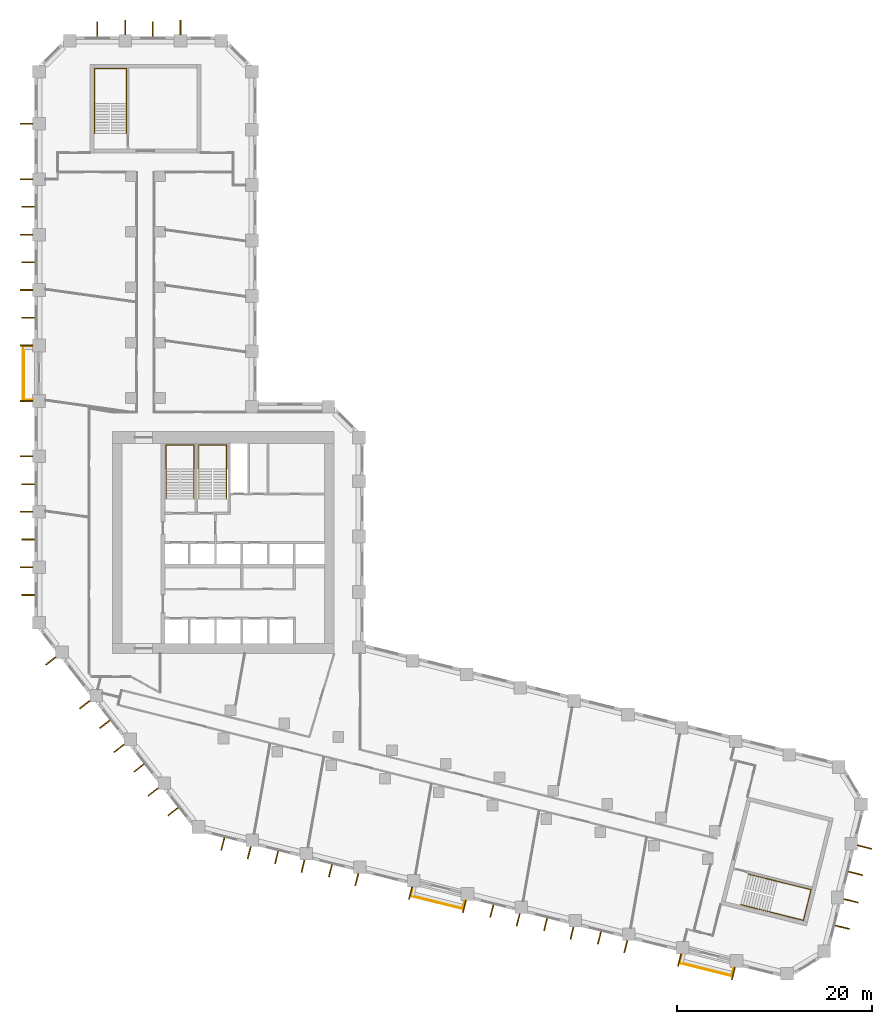
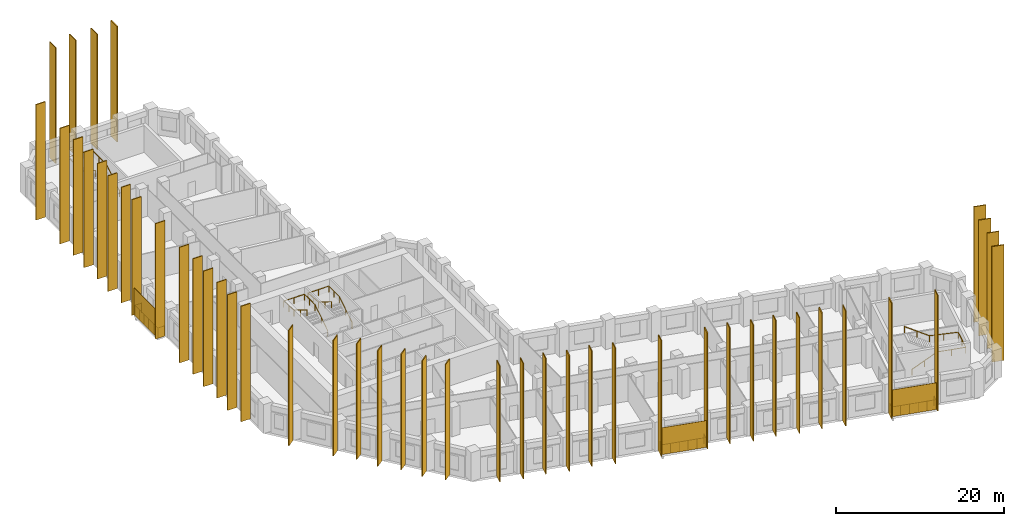
# One storey, part 10 of 10: 49 shading devices, 7 railings.
"""IFC4 building model written with IfcOpenShell, lengths in metres."""

from ifc_helpers import new_model, si_unit, direction, frame, origin, origin_2d, place, context, subcontext, project, spatial, rectangle, circle, extrude, material, layer, layer_set, type_object, element, save


model = new_model("IFC4")

# Units and contexts
model_context = context("Model", 3, precision=1e-05, world=origin(), true_north=direction((0.0, 1.0)))
body_context = subcontext(model_context, "Body", "Model", "MODEL_VIEW")
ifc_project = project(units=[si_unit("LENGTHUNIT", "METRE"), si_unit("AREAUNIT", "SQUARE_METRE"), si_unit("VOLUMEUNIT", "CUBIC_METRE"), si_unit("PLANEANGLEUNIT", "RADIAN"), si_unit("MASSUNIT", "GRAM", prefix="KILO")], contexts=[model_context])

# Site, building, storey
site_placement = place(None, origin())
site = spatial("IfcSite", under=ifc_project, at=site_placement, CompositionType="ELEMENT")
building_placement = place(site_placement, origin())
building = spatial("IfcBuilding", under=site, at=building_placement, Name="Meshkara Civic Tower", CompositionType="ELEMENT")
storey_placement = place(building_placement, frame((0.0, 0.0, 114.0)))
storey = spatial("IfcBuildingStorey", under=building, at=storey_placement, Name="L25", CompositionType="ELEMENT", Elevation=114.0)

# Railings
ifc_material_1 = material(Name="Steel S355", Category="steel")
railing_type_1 = type_object("IfcRailingType", Name="BALUSTRADE GUARD 1400", PredefinedType="BALUSTRADE", material=ifc_material_1)
railing_1_placement = place(storey_placement, frame((-0.199951171875, 45.635009765625, 0.0)))
element("IfcRailing", 1, at=railing_1_placement, inside=storey, type_object=railing_type_1, Name="Balcony guard", PredefinedType="BALUSTRADE", context=body_context, shape_type="SweptSolid", body=[
    extrude(circle(Radius=0.02392578125, at=origin_2d()), frame((0.0, 0.0, 1.3759765625), z_axis=(-1.0, 0.0, 0.0), x_axis=(0.0, -1.0, 0.0)), (0.0, 0.0, 1.0), 0.91015625),
    extrude(circle(Radius=0.02392578125, at=origin_2d()), frame((-0.91015625, 0.0, 1.3759765625), z_axis=(0.0, -1.0, 0.0), x_axis=(1.0, 0.0, 0.0)), (0.0, 0.0, 1.0), 5.4599609375),
    extrude(circle(Radius=0.02392578125, at=origin_2d()), frame((-0.91015625, -5.4599609375, 1.3759765625), z_axis=(1.0, 0.0, 0.0), x_axis=(0.0, 1.0, 0.0)), (0.0, 0.0, 1.0), 0.91015625),
    extrude(circle(Radius=0.02099609375, at=origin_2d()), origin(), (0.0, 0.0, 1.0), 1.351806640625),
    extrude(circle(Radius=0.02099609375, at=origin_2d()), frame((-0.91015625, 0.0, 0.0)), (0.0, 0.0, 1.0), 1.351806640625),
    extrude(circle(Radius=0.02099609375, at=origin_2d()), frame((-0.91015625, -1.092041015625, 0.0)), (0.0, 0.0, 1.0), 1.351806640625),
    extrude(circle(Radius=0.02099609375, at=origin_2d()), frame((-0.91015625, -2.18408203125, 0.0)), (0.0, 0.0, 1.0), 1.351806640625),
    extrude(circle(Radius=0.02099609375, at=origin_2d()), frame((-0.91015625, -3.27587890625, 0.0)), (0.0, 0.0, 1.0), 1.351806640625),
    extrude(circle(Radius=0.02099609375, at=origin_2d()), frame((-0.91015625, -4.367919921875, 0.0)), (0.0, 0.0, 1.0), 1.351806640625),
    extrude(circle(Radius=0.02099609375, at=origin_2d()), frame((-0.91015625, -5.4599609375, 0.0)), (0.0, 0.0, 1.0), 1.351806640625),
    extrude(circle(Radius=0.02099609375, at=origin_2d()), frame((0.0, -5.4599609375, 0.0)), (0.0, 0.0, 1.0), 1.351806640625),
])
railing_2_placement = place(storey_placement, frame((38.89990234375, -10.047119140625, 0.0)))
element("IfcRailing", 2, at=railing_2_placement, inside=storey, type_object=railing_type_1, Name="Balcony guard", PredefinedType="BALUSTRADE", context=body_context, shape_type="SweptSolid", body=[
    extrude(circle(Radius=0.02392578125, at=origin_2d()), frame((0.0, 0.0, 1.3759765625), z_axis=(-0.242312323582, -0.970198298205, 0.0), x_axis=(0.970198298205, -0.242312323582, 0.0)), (0.0, 0.0, 1.0), 0.771728515625),
    extrude(circle(Radius=0.02392578125, at=origin_2d()), frame((-0.18701171875, -0.748779296875, 1.3759765625), z_axis=(0.970292231073, -0.24193591366, 0.0), x_axis=(0.24193591366, 0.970292231073, 0.0)), (0.0, 0.0, 1.0), 5.460205078125),
    extrude(circle(Radius=0.02392578125, at=origin_2d()), frame((5.111083984375, -2.06982421875, 1.3759765625), z_axis=(0.242237978263, 0.970216863329, 0.0), x_axis=(-0.970216863329, 0.242237978263, 0.0)), (0.0, 0.0, 1.0), 0.77197265625),
    extrude(circle(Radius=0.02099609375, at=origin_2d()), origin(), (0.0, 0.0, 1.0), 1.351806640625),
    extrude(circle(Radius=0.02099609375, at=origin_2d()), frame((-0.18701171875, -0.748779296875, 0.0)), (0.0, 0.0, 1.0), 1.351806640625),
    extrude(circle(Radius=0.02099609375, at=origin_2d()), frame((0.87255859375, -1.012939453125, 0.0)), (0.0, 0.0, 1.0), 1.351806640625),
    extrude(circle(Radius=0.02099609375, at=origin_2d()), frame((1.93212890625, -1.277099609375, 0.0)), (0.0, 0.0, 1.0), 1.351806640625),
    extrude(circle(Radius=0.02099609375, at=origin_2d()), frame((2.991943359375, -1.54150390625, 0.0)), (0.0, 0.0, 1.0), 1.351806640625),
    extrude(circle(Radius=0.02099609375, at=origin_2d()), frame((4.051513671875, -1.8056640625, 0.0)), (0.0, 0.0, 1.0), 1.351806640625),
    extrude(circle(Radius=0.02099609375, at=origin_2d()), frame((5.111083984375, -2.06982421875, 0.0)), (0.0, 0.0, 1.0), 1.351806640625),
    extrude(circle(Radius=0.02099609375, at=origin_2d()), frame((5.298095703125, -1.32080078125, 0.0)), (0.0, 0.0, 1.0), 1.351806640625),
])
railing_3_placement = place(storey_placement, frame((66.552978515625, -16.94091796875, 0.0)))
element("IfcRailing", 3, at=railing_3_placement, inside=storey, type_object=railing_type_1, Name="Balcony guard", PredefinedType="BALUSTRADE", context=body_context, shape_type="SweptSolid", body=[
    extrude(circle(Radius=0.02392578125, at=origin_2d()), frame((0.0, 0.0, 1.3759765625), z_axis=(-0.241941038466, -0.970290953223, 0.0), x_axis=(0.970290953223, -0.241941038466, 0.0)), (0.0, 0.0, 1.0), 0.77294921875),
    extrude(circle(Radius=0.02392578125, at=origin_2d()), frame((-0.18701171875, -0.75, 1.3759765625), z_axis=(0.97033420246, -0.241767523741, 0.0), x_axis=(0.241767523741, 0.97033420246, 0.0)), (0.0, 0.0, 1.0), 5.4599609375),
    extrude(circle(Radius=0.02392578125, at=origin_2d()), frame((5.111083984375, -2.070068359375, 1.3759765625), z_axis=(0.242237978263, 0.970216863329, 0.0), x_axis=(-0.970216863329, 0.242237978263, 0.0)), (0.0, 0.0, 1.0), 0.77197265625),
    extrude(circle(Radius=0.02099609375, at=origin_2d()), origin(), (0.0, 0.0, 1.0), 1.351806640625),
    extrude(circle(Radius=0.02099609375, at=origin_2d()), frame((-0.18701171875, -0.75, 0.0)), (0.0, 0.0, 1.0), 1.351806640625),
    extrude(circle(Radius=0.02099609375, at=origin_2d()), frame((0.87255859375, -1.013916015625, 0.0)), (0.0, 0.0, 1.0), 1.351806640625),
    extrude(circle(Radius=0.02099609375, at=origin_2d()), frame((1.93212890625, -1.278076171875, 0.0)), (0.0, 0.0, 1.0), 1.351806640625),
    extrude(circle(Radius=0.02099609375, at=origin_2d()), frame((2.991943359375, -1.5419921875, 0.0)), (0.0, 0.0, 1.0), 1.351806640625),
    extrude(circle(Radius=0.02099609375, at=origin_2d()), frame((4.051513671875, -1.80615234375, 0.0)), (0.0, 0.0, 1.0), 1.351806640625),
    extrude(circle(Radius=0.02099609375, at=origin_2d()), frame((5.111083984375, -2.070068359375, 0.0)), (0.0, 0.0, 1.0), 1.351806640625),
    extrude(circle(Radius=0.02099609375, at=origin_2d()), frame((5.298095703125, -1.321044921875, 0.0)), (0.0, 0.0, 1.0), 1.351806640625),
])

# Shading devices
ifc_material_2 = material(Name="Bronze anodised aluminium", Category="aluminium")
ifc_layer_1 = layer(ifc_material_2, 0.1201171875)
ifc_layer_set_1 = layer_set([ifc_layer_1], Name="BRONZE FIN 1300")
shading_device_type_1 = type_object("IfcShadingDeviceType", Name="BRONZE FIN 1300", PredefinedType="USERDEFINED", material=ifc_layer_set_1)
for number, where, z_axis, x_axis, name in (
    (4, (-0.85009765625, 68.554931640625, 0.0), (0.0, 0.0, 1.0), (0.0, -1.0, 0.0), "Fin"),
    (5, (-0.85009765625, 62.85498046875, 0.0), (0.0, 0.0, 1.0), (0.0, -1.0, 0.0), "Fin"),
    (6, (-0.64990234375, 60.0048828125, 0.0), (0.0, 0.0, 1.0), (0.0, -1.0, 0.0), "Fin"),
    (7, (-0.85009765625, 57.155029296875, 0.0), (0.0, 0.0, 1.0), (0.0, -1.0, 0.0), "Fin"),
    (8, (-0.64990234375, 54.304931640625, 0.0), (0.0, 0.0, 1.0), (0.0, -1.0, 0.0), "Fin"),
    (9, (-0.85009765625, 51.455078125, 0.0), (0.0, 0.0, 1.0), (0.0, -1.0, 0.0), "Fin"),
    (10, (-0.64990234375, 48.60498046875, 0.0), (0.0, 0.0, 1.0), (0.0, -1.0, 0.0), "Fin"),
    (11, (-0.85009765625, 45.7548828125, 0.0), (0.0, 0.0, 1.0), (0.0, -1.0, 0.0), "Fin"),
    (12, (-0.85009765625, 40.054931640625, 0.0), (0.0, 0.0, 1.0), (0.0, -1.0, 0.0), "Fin"),
    (13, (-0.85009765625, 34.35498046875, 0.0), (0.0, 0.0, 1.0), (0.0, -1.0, 0.0), "Fin"),
    (14, (-0.64990234375, 31.5048828125, 0.0), (0.0, 0.0, 1.0), (0.0, -1.0, 0.0), "Fin"),
    (15, (-0.85009765625, 28.655029296875, 0.0), (0.0, 0.0, 1.0), (0.0, -1.0, 0.0), "Fin"),
    (16, (-0.64990234375, 25.804931640625, 0.0), (0.0, 0.0, 1.0), (0.0, -1.0, 0.0), "Fin"),
    (17, (-0.85009765625, 22.955078125, 0.0), (0.0, 0.0, 1.0), (0.0, -1.0, 0.0), "Fin"),
    (18, (-0.64990234375, 20.10498046875, 0.0), (0.0, 0.0, 1.0), (0.0, -1.0, 0.0), "Fin"),
    (19, (1.652099609375, 13.321044921875, 0.0), (0.0, 0.0, 1.0), (0.615661475326, -0.788010753607, 0.0), "Fin"),
    (20, (5.160888671875, 8.8291015625, 0.0), (0.0, 0.0, 1.0), (0.615661475326, -0.788010753607, 0.0), "Fin"),
    (21, (7.2109375, 6.81396484375, 0.0), (0.0, 0.0, 1.0), (0.615661475326, -0.788010753607, 0.0), "Fin"),
    (22, (8.6708984375, 4.3369140625, 0.0), (0.0, 0.0, 1.0), (0.615661475326, -0.788010753607, 0.0), "Fin"),
    (23, (10.720947265625, 2.322021484375, 0.0), (0.0, 0.0, 1.0), (0.615661475326, -0.788010753607, 0.0), "Fin"),
    (24, (12.179931640625, -0.154052734375, 0.0), (0.0, 0.0, 1.0), (0.615661475326, -0.788010753607, 0.0), "Fin"),
    (25, (14.22998046875, -2.1689453125, 0.0), (0.0, 0.0, 1.0), (0.615661475326, -0.788010753607, 0.0), "Fin"),
    (26, (19.35009765625, -5.4951171875, 0.0), (0.0, 0.0, 1.0), (0.970299948462, -0.241904960708, 0.0), "Fin"),
    (27, (22.06298828125, -6.39794921875, 0.0), (0.0, 0.0, 1.0), (0.970299948462, -0.241904960708, 0.0), "Fin"),
    (28, (24.881103515625, -6.873046875, 0.0), (0.0, 0.0, 1.0), (0.970299948462, -0.241904960708, 0.0), "Fin"),
    (29, (27.593017578125, -7.777099609375, 0.0), (0.0, 0.0, 1.0), (0.970299948462, -0.241904960708, 0.0), "Fin"),
    (30, (30.412109375, -8.251953125, 0.0), (0.0, 0.0, 1.0), (0.970299948462, -0.241904960708, 0.0), "Fin"),
    (31, (33.1240234375, -9.156005859375, 0.0), (0.0, 0.0, 1.0), (0.970299948462, -0.241904960708, 0.0), "Fin"),
    (32, (38.655029296875, -10.533935546875, 0.0), (0.0, 0.0, 1.0), (0.970299948462, -0.241904960708, 0.0), "Fin"),
    (33, (44.18603515625, -11.9130859375, 0.0), (0.0, 0.0, 1.0), (0.970299948462, -0.241904960708, 0.0), "Fin"),
    (34, (47.00390625, -12.388916015625, 0.0), (0.0, 0.0, 1.0), (0.970299948462, -0.241904960708, 0.0), "Fin"),
    (35, (49.716064453125, -13.2919921875, 0.0), (0.0, 0.0, 1.0), (0.970299948462, -0.241904960708, 0.0), "Fin"),
    (36, (52.533935546875, -13.76806640625, 0.0), (0.0, 0.0, 1.0), (0.970299948462, -0.241904960708, 0.0), "Fin"),
    (37, (55.2470703125, -14.6708984375, 0.0), (0.0, 0.0, 1.0), (0.970299948462, -0.241904960708, 0.0), "Fin"),
    (38, (58.06494140625, -15.14697265625, 0.0), (0.0, 0.0, 1.0), (0.970299948462, -0.241904960708, 0.0), "Fin"),
    (39, (60.778076171875, -16.050048828125, 0.0), (0.0, 0.0, 1.0), (0.970299948462, -0.241904960708, 0.0), "Fin"),
    (40, (66.30810546875, -17.428955078125, 0.0), (0.0, 0.0, 1.0), (0.970299948462, -0.241904960708, 0.0), "Fin"),
    (41, (71.839111328125, -18.80810546875, 0.0), (0.0, 0.0, 1.0), (0.970299948462, -0.241904960708, 0.0), "Fin"),
):
    element("IfcShadingDevice", number, at=place(storey_placement, frame(where, z_axis=z_axis, x_axis=x_axis)), inside=storey, type_object=shading_device_type_1, Name=name, ObjectType="FIN", PredefinedType="USERDEFINED", context=body_context, shape_type="SweptSolid", body=[
        extrude(rectangle(XDim=0.1201171875, YDim=1.300048828125, at=origin_2d()), origin(), (0.0, 0.0, 1.0), 16.800048828125),
    ])
ifc_material_3 = material(Name="Bronze anodised aluminium", Category="aluminium")
ifc_layer_2 = layer(ifc_material_3, 0.1201171875)
ifc_layer_set_2 = layer_set([ifc_layer_2], Name="BRONZE FIN 1500")
shading_device_type_2 = type_object("IfcShadingDeviceType", Name="BRONZE FIN 1500", PredefinedType="USERDEFINED", material=ifc_layer_set_2)
for number, where, z_axis, x_axis, name in (
    (42, (15.006103515625, 78.469970703125, 0.0), (0.0, 0.0, 1.0), (-1.0, 0.0, 0.0), "Fin"),
    (43, (12.156005859375, 78.27001953125, 0.0), (0.0, 0.0, 1.0), (-1.0, 0.0, 0.0), "Fin"),
    (44, (9.305908203125, 78.469970703125, 0.0), (0.0, 0.0, 1.0), (-1.0, 0.0, 0.0), "Fin"),
    (45, (6.4560546875, 78.27001953125, 0.0), (0.0, 0.0, 1.0), (-1.0, 0.0, 0.0), "Fin"),
    (46, (83.037109375, -14.049072265625, 0.0), (0.0, 0.0, 1.0), (0.2419218956, 0.970295726276, 0.0), "Fin"),
    (47, (83.93994140625, -11.3359375, 0.0), (0.0, 0.0, 1.0), (0.2419218956, 0.970295726276, 0.0), "Fin"),
    (48, (84.416015625, -8.51806640625, 0.0), (0.0, 0.0, 1.0), (0.2419218956, 0.970295726276, 0.0), "Fin"),
    (49, (85.319091796875, -5.805908203125, 0.0), (0.0, 0.0, 1.0), (0.2419218956, 0.970295726276, 0.0), "Fin"),
):
    element("IfcShadingDevice", number, at=place(storey_placement, frame(where, z_axis=z_axis, x_axis=x_axis)), inside=storey, type_object=shading_device_type_2, Name=name, ObjectType="FIN", PredefinedType="USERDEFINED", context=body_context, shape_type="SweptSolid", body=[
        extrude(rectangle(XDim=0.1201171875, YDim=1.5, at=origin_2d()), origin(), (0.0, 0.0, 1.0), 16.800048828125),
    ])
ifc_material_4 = material(Name="Perforated bronze anodised aluminium sheet", Category="aluminium")
ifc_layer_3 = layer(ifc_material_4, 0.0400390625)
ifc_layer_set_3 = layer_set([ifc_layer_3], Name="PERFORATED BRONZE SCREEN")
shading_device_type_3 = type_object("IfcShadingDeviceType", Name="PERFORATED BRONZE SCREEN", PredefinedType="USERDEFINED", material=ifc_layer_set_3)
for number, where, z_axis, x_axis, name in (
    (50, (-1.179931640625, 42.905029296875, 0.0), (0.0, 0.0, 1.0), (0.0, -1.0, 0.0), "Balcony screen"),
    (51, (41.344970703125, -11.52490234375, 0.0), (0.0, 0.0, 1.0), (0.970299948462, -0.241904960708, 0.0), "Balcony screen"),
    (52, (68.998046875, -18.4189453125, 0.0), (0.0, 0.0, 1.0), (0.970299948462, -0.241904960708, 0.0), "Balcony screen"),
):
    element("IfcShadingDevice", number, at=place(storey_placement, frame(where, z_axis=z_axis, x_axis=x_axis)), inside=storey, type_object=shading_device_type_3, Name=name, ObjectType="SCREEN", PredefinedType="USERDEFINED", context=body_context, shape_type="SweptSolid", body=[
        extrude(rectangle(XDim=5.580078125, YDim=0.0400390625, at=origin_2d()), origin(), (0.0, 0.0, 1.0), 3.89990234375),
    ])

# Railings
ifc_material_5 = material(Name="Steel handrail", Category="steel")
railing_type_2 = type_object("IfcRailingType", Name="Stair handrail 900", PredefinedType="HANDRAIL", material=ifc_material_5)
railing_4_placement = place(storey_placement, frame((16.375, 30.0, 0.175048828125)))
element("IfcRailing", 53, at=railing_4_placement, inside=storey, type_object=railing_type_2, Name="L25 ST1 stair handrail 1", PredefinedType="HANDRAIL", context=body_context, shape_type="SweptSolid", body=[
    extrude(circle(Radius=0.02392578125, at=origin_2d()), frame((0.0, 0.0, 0.8759765625), z_axis=(0.0, 0.847998304005, 0.529998940003), x_axis=(-1.0, 0.0, 0.0)), (0.0, 0.0, 1.0), 3.632080078125),
    extrude(circle(Radius=0.02392578125, at=origin_2d()), frame((0.0, 3.080078125, 2.80078125), z_axis=(0.0, 1.0, 0.0), x_axis=(-1.0, 0.0, 0.0)), (0.0, 0.0, 1.0), 2.469970703125),
    extrude(circle(Radius=0.02392578125, at=origin_2d()), frame((0.0, 5.550048828125, 2.80078125), z_axis=(-1.0, 0.0, 0.0), x_axis=(0.0, -1.0, 0.0)), (0.0, 0.0, 1.0), 2.85009765625),
    extrude(circle(Radius=0.02392578125, at=origin_2d()), frame((-2.85009765625, 5.550048828125, 2.80078125), z_axis=(0.0, -0.997505032726, 0.070595394231), x_axis=(1.0, 0.0, 0.0)), (0.0, 0.0, 1.0), 2.47607421875),
    extrude(circle(Radius=0.02392578125, at=origin_2d()), frame((-2.85009765625, 3.080078125, 2.9755859375), z_axis=(0.0, -0.847998304005, 0.529998940003), x_axis=(1.0, 0.0, 0.0)), (0.0, 0.0, 1.0), 3.632080078125),
    extrude(circle(Radius=0.02099609375, at=origin_2d()), origin(), (0.0, 0.0, 1.0), 0.851806640625),
    extrude(circle(Radius=0.02099609375, at=origin_2d()), frame((0.0, 1.5400390625, 0.96240234375)), (0.0, 0.0, 1.0), 0.851806640625),
    extrude(circle(Radius=0.02099609375, at=origin_2d()), frame((0.0, 3.080078125, 1.925048828125)), (0.0, 0.0, 1.0), 0.851806640625),
    extrude(circle(Radius=0.02099609375, at=origin_2d()), frame((0.0, 4.31494140625, 1.925048828125)), (0.0, 0.0, 1.0), 0.851806640625),
    extrude(circle(Radius=0.02099609375, at=origin_2d()), frame((0.0, 5.550048828125, 1.925048828125)), (0.0, 0.0, 1.0), 0.851806640625),
    extrude(circle(Radius=0.02099609375, at=origin_2d()), frame((-1.425048828125, 5.550048828125, 1.925048828125)), (0.0, 0.0, 1.0), 0.851806640625),
    extrude(circle(Radius=0.02099609375, at=origin_2d()), frame((-2.85009765625, 5.550048828125, 1.925048828125)), (0.0, 0.0, 1.0), 0.851806640625),
    extrude(circle(Radius=0.02099609375, at=origin_2d()), frame((-2.85009765625, 4.31494140625, 2.012451171875)), (0.0, 0.0, 1.0), 0.851806640625),
    extrude(circle(Radius=0.02099609375, at=origin_2d()), frame((-2.85009765625, 3.080078125, 2.099853515625)), (0.0, 0.0, 1.0), 0.851806640625),
    extrude(circle(Radius=0.02099609375, at=origin_2d()), frame((-2.85009765625, 1.5400390625, 3.0625)), (0.0, 0.0, 1.0), 0.851806640625),
    extrude(circle(Radius=0.02099609375, at=origin_2d()), frame((-2.85009765625, 0.0, 4.02490234375)), (0.0, 0.0, 1.0), 0.851806640625),
])
railing_5_placement = place(storey_placement, frame((19.72509765625, 30.0, 0.175048828125)))
element("IfcRailing", 54, at=railing_5_placement, inside=storey, type_object=railing_type_2, Name="L25 ST2 stair handrail 1", PredefinedType="HANDRAIL", context=body_context, shape_type="SweptSolid", body=[
    extrude(circle(Radius=0.02392578125, at=origin_2d()), frame((0.0, 0.0, 0.8759765625), z_axis=(0.0, 0.847998304005, 0.529998940003), x_axis=(-1.0, 0.0, 0.0)), (0.0, 0.0, 1.0), 3.632080078125),
    extrude(circle(Radius=0.02392578125, at=origin_2d()), frame((0.0, 3.080078125, 2.80078125), z_axis=(0.0, 1.0, 0.0), x_axis=(-1.0, 0.0, 0.0)), (0.0, 0.0, 1.0), 2.469970703125),
    extrude(circle(Radius=0.02392578125, at=origin_2d()), frame((0.0, 5.550048828125, 2.80078125), z_axis=(-1.0, 0.0, 0.0), x_axis=(0.0, -1.0, 0.0)), (0.0, 0.0, 1.0), 2.85009765625),
    extrude(circle(Radius=0.02392578125, at=origin_2d()), frame((-2.85009765625, 5.550048828125, 2.80078125), z_axis=(0.0, -0.997505032726, 0.070595394231), x_axis=(1.0, 0.0, 0.0)), (0.0, 0.0, 1.0), 2.47607421875),
    extrude(circle(Radius=0.02392578125, at=origin_2d()), frame((-2.85009765625, 3.080078125, 2.9755859375), z_axis=(0.0, -0.847998304005, 0.529998940003), x_axis=(1.0, 0.0, 0.0)), (0.0, 0.0, 1.0), 3.632080078125),
    extrude(circle(Radius=0.02099609375, at=origin_2d()), origin(), (0.0, 0.0, 1.0), 0.851806640625),
    extrude(circle(Radius=0.02099609375, at=origin_2d()), frame((0.0, 1.5400390625, 0.96240234375)), (0.0, 0.0, 1.0), 0.851806640625),
    extrude(circle(Radius=0.02099609375, at=origin_2d()), frame((0.0, 3.080078125, 1.925048828125)), (0.0, 0.0, 1.0), 0.851806640625),
    extrude(circle(Radius=0.02099609375, at=origin_2d()), frame((0.0, 4.31494140625, 1.925048828125)), (0.0, 0.0, 1.0), 0.851806640625),
    extrude(circle(Radius=0.02099609375, at=origin_2d()), frame((0.0, 5.550048828125, 1.925048828125)), (0.0, 0.0, 1.0), 0.851806640625),
    extrude(circle(Radius=0.02099609375, at=origin_2d()), frame((-1.425048828125, 5.550048828125, 1.925048828125)), (0.0, 0.0, 1.0), 0.851806640625),
    extrude(circle(Radius=0.02099609375, at=origin_2d()), frame((-2.85009765625, 5.550048828125, 1.925048828125)), (0.0, 0.0, 1.0), 0.851806640625),
    extrude(circle(Radius=0.02099609375, at=origin_2d()), frame((-2.85009765625, 4.31494140625, 2.012451171875)), (0.0, 0.0, 1.0), 0.851806640625),
    extrude(circle(Radius=0.02099609375, at=origin_2d()), frame((-2.85009765625, 3.080078125, 2.099853515625)), (0.0, 0.0, 1.0), 0.851806640625),
    extrude(circle(Radius=0.02099609375, at=origin_2d()), frame((-2.85009765625, 1.5400390625, 3.0625)), (0.0, 0.0, 1.0), 0.851806640625),
    extrude(circle(Radius=0.02099609375, at=origin_2d()), frame((-2.85009765625, 0.0, 4.02490234375)), (0.0, 0.0, 1.0), 0.851806640625),
])
railing_6_placement = place(storey_placement, frame((9.425048828125, 67.570068359375, 0.175048828125)))
element("IfcRailing", 55, at=railing_6_placement, inside=storey, type_object=railing_type_2, Name="L25 ESA2 stair handrail 1", PredefinedType="HANDRAIL", context=body_context, shape_type="SweptSolid", body=[
    extrude(circle(Radius=0.02392578125, at=origin_2d()), frame((0.0, 0.0, 0.8759765625), z_axis=(0.0, 0.847979421464, 0.530029150871), x_axis=(-1.0, 0.0, 0.0)), (0.0, 0.0, 1.0), 3.632080078125),
    extrude(circle(Radius=0.02392578125, at=origin_2d()), frame((0.0, 3.079833984375, 2.80078125), z_axis=(0.0, 1.0, 0.0), x_axis=(-1.0, 0.0, 0.0)), (0.0, 0.0, 1.0), 3.570068359375),
    extrude(circle(Radius=0.02392578125, at=origin_2d()), frame((0.0, 6.64990234375, 2.80078125), z_axis=(-1.0, 0.0, 0.0), x_axis=(0.0, -1.0, 0.0)), (0.0, 0.0, 1.0), 3.25),
    extrude(circle(Radius=0.02392578125, at=origin_2d()), frame((-3.25, 6.64990234375, 2.80078125), z_axis=(0.0, -0.998803416417, 0.048905371412), x_axis=(1.0, 0.0, 0.0)), (0.0, 0.0, 1.0), 3.574462890625),
    extrude(circle(Radius=0.02392578125, at=origin_2d()), frame((-3.25, 3.079833984375, 2.9755859375), z_axis=(0.0, -0.847979421464, 0.530029150871), x_axis=(1.0, 0.0, 0.0)), (0.0, 0.0, 1.0), 3.632080078125),
    extrude(circle(Radius=0.02099609375, at=origin_2d()), origin(), (0.0, 0.0, 1.0), 0.851806640625),
    extrude(circle(Radius=0.02099609375, at=origin_2d()), frame((0.0, 1.5400390625, 0.96240234375)), (0.0, 0.0, 1.0), 0.851806640625),
    extrude(circle(Radius=0.02099609375, at=origin_2d()), frame((0.0, 3.079833984375, 1.925048828125)), (0.0, 0.0, 1.0), 0.851806640625),
    extrude(circle(Radius=0.02099609375, at=origin_2d()), frame((0.0, 4.86474609375, 1.925048828125)), (0.0, 0.0, 1.0), 0.851806640625),
    extrude(circle(Radius=0.02099609375, at=origin_2d()), frame((0.0, 6.64990234375, 1.925048828125)), (0.0, 0.0, 1.0), 0.851806640625),
    extrude(circle(Radius=0.02099609375, at=origin_2d()), frame((-1.625, 6.64990234375, 1.925048828125)), (0.0, 0.0, 1.0), 0.851806640625),
    extrude(circle(Radius=0.02099609375, at=origin_2d()), frame((-3.25, 6.64990234375, 1.925048828125)), (0.0, 0.0, 1.0), 0.851806640625),
    extrude(circle(Radius=0.02099609375, at=origin_2d()), frame((-3.25, 4.86474609375, 2.012451171875)), (0.0, 0.0, 1.0), 0.851806640625),
    extrude(circle(Radius=0.02099609375, at=origin_2d()), frame((-3.25, 3.079833984375, 2.099853515625)), (0.0, 0.0, 1.0), 0.851806640625),
    extrude(circle(Radius=0.02099609375, at=origin_2d()), frame((-3.25, 1.5400390625, 3.0625)), (0.0, 0.0, 1.0), 0.851806640625),
    extrude(circle(Radius=0.02099609375, at=origin_2d()), frame((-3.25, 0.0, 4.02490234375)), (0.0, 0.0, 1.0), 0.851806640625),
])
railing_7_placement = place(storey_placement, frame((72.587158203125, -11.73388671875, 0.175048828125)))
element("IfcRailing", 56, at=railing_7_placement, inside=storey, type_object=railing_type_2, Name="L25 ESB2 stair handrail 1", PredefinedType="HANDRAIL", context=body_context, shape_type="SweptSolid", body=[
    extrude(circle(Radius=0.02392578125, at=origin_2d()), frame((0.0, 0.0, 0.8759765625), z_axis=(0.82276025377, -0.205286749593, 0.530021617727), x_axis=(0.242087961707, 0.97025430625, 0.0)), (0.0, 0.0, 1.0), 3.632080078125),
    extrude(circle(Radius=0.02392578125, at=origin_2d()), frame((2.98828125, -0.74560546875, 2.80078125), z_axis=(0.97025503065, -0.242085058395, 0.0), x_axis=(0.242085058395, 0.97025503065, 0.0)), (0.0, 0.0, 1.0), 3.570068359375),
    extrude(circle(Radius=0.02392578125, at=origin_2d()), frame((6.4521484375, -1.60986328125, 2.80078125), z_axis=(0.242040676986, 0.970266103027, 0.0), x_axis=(-0.970266103027, 0.242040676986, 0.0)), (0.0, 0.0, 1.0), 3.25),
    extrude(circle(Radius=0.02392578125, at=origin_2d()), frame((7.23876953125, 1.54345703125, 2.80078125), z_axis=(-0.969094032987, 0.241795381786, 0.048905506598), x_axis=(-0.242085058395, -0.97025503065, 0.0)), (0.0, 0.0, 1.0), 3.57421875),
    extrude(circle(Radius=0.02392578125, at=origin_2d()), frame((3.77490234375, 2.40771484375, 2.9755859375), z_axis=(-0.82276025377, 0.205286749593, 0.530021617727), x_axis=(-0.242087961707, -0.97025430625, 0.0)), (0.0, 0.0, 1.0), 3.632080078125),
    extrude(circle(Radius=0.02099609375, at=origin_2d()), origin(), (0.0, 0.0, 1.0), 0.851806640625),
    extrude(circle(Radius=0.02099609375, at=origin_2d()), frame((1.494140625, -0.372802734375, 0.96240234375)), (0.0, 0.0, 1.0), 0.851806640625),
    extrude(circle(Radius=0.02099609375, at=origin_2d()), frame((2.98828125, -0.74560546875, 1.925048828125)), (0.0, 0.0, 1.0), 0.851806640625),
    extrude(circle(Radius=0.02099609375, at=origin_2d()), frame((4.72021484375, -1.177734375, 1.925048828125)), (0.0, 0.0, 1.0), 0.851806640625),
    extrude(circle(Radius=0.02099609375, at=origin_2d()), frame((6.4521484375, -1.60986328125, 1.925048828125)), (0.0, 0.0, 1.0), 0.851806640625),
    extrude(circle(Radius=0.02099609375, at=origin_2d()), frame((6.845458984375, -0.033203125, 1.925048828125)), (0.0, 0.0, 1.0), 0.851806640625),
    extrude(circle(Radius=0.02099609375, at=origin_2d()), frame((7.23876953125, 1.54345703125, 1.925048828125)), (0.0, 0.0, 1.0), 0.851806640625),
    extrude(circle(Radius=0.02099609375, at=origin_2d()), frame((5.5068359375, 1.9755859375, 2.012451171875)), (0.0, 0.0, 1.0), 0.851806640625),
    extrude(circle(Radius=0.02099609375, at=origin_2d()), frame((3.77490234375, 2.40771484375, 2.099853515625)), (0.0, 0.0, 1.0), 0.851806640625),
    extrude(circle(Radius=0.02099609375, at=origin_2d()), frame((2.28076171875, 2.780517578125, 3.0625)), (0.0, 0.0, 1.0), 0.851806640625),
    extrude(circle(Radius=0.02099609375, at=origin_2d()), frame((0.78662109375, 3.1533203125, 4.02490234375)), (0.0, 0.0, 1.0), 0.851806640625),
])

save(model, "model.ifc")
